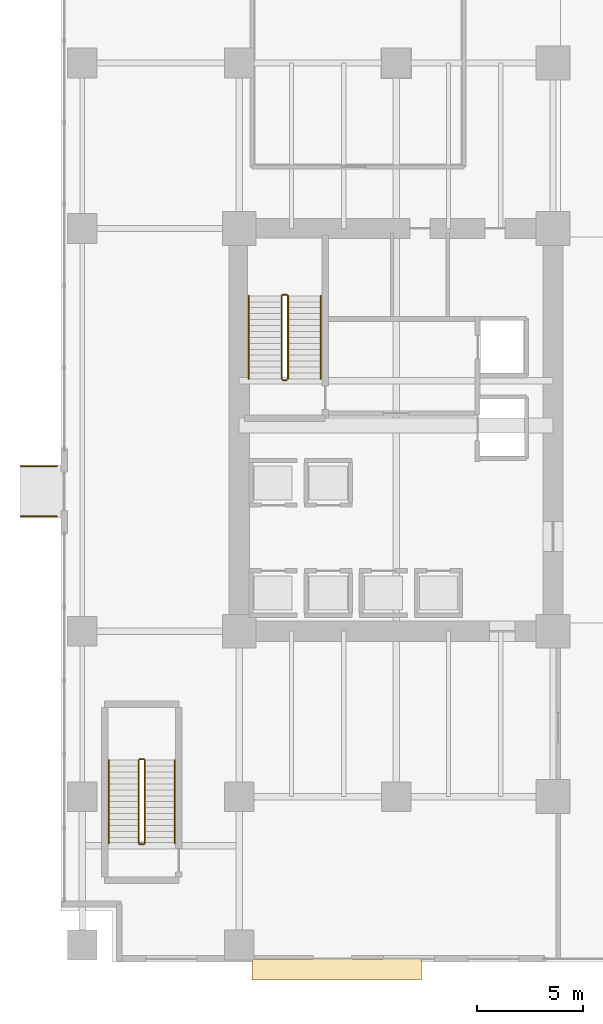
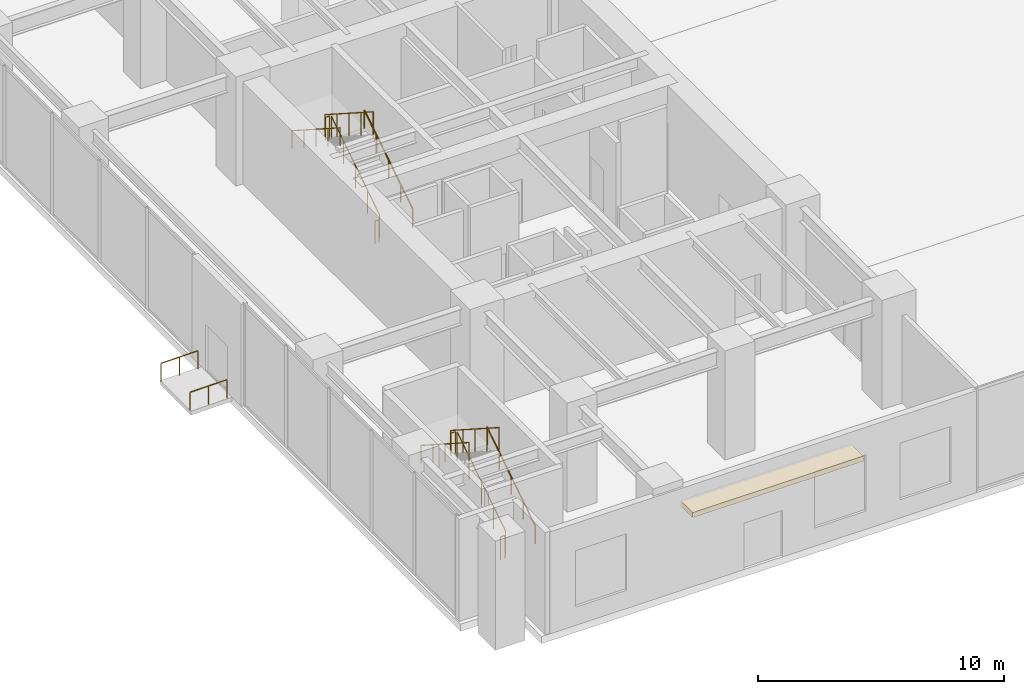
# One storey, part 24 of 28: 14 railings, 1 covering.
"""IFC4 building model written with IfcOpenShell, lengths in metres."""

from ifc_helpers import new_model, si_unit, direction, frame, origin, origin_2d, place, context, subcontext, project, spatial, polyline, circle, outline, extrude, source, transform, mapped, material, layer, layer_set, type_object, type_shapes, element, save


model = new_model("IFC4")

# Units and contexts
model_context = context("Model", 3, precision=1e-05, world=origin(), true_north=direction((0.0, 1.0)))
body_context = subcontext(model_context, "Body", "Model", "MODEL_VIEW")
ifc_project = project(units=[si_unit("LENGTHUNIT", "METRE"), si_unit("AREAUNIT", "SQUARE_METRE"), si_unit("VOLUMEUNIT", "CUBIC_METRE"), si_unit("PLANEANGLEUNIT", "RADIAN"), si_unit("MASSUNIT", "GRAM", prefix="KILO")], contexts=[model_context])

# Site, building, storey
site_placement = place(None, origin())
site = spatial("IfcSite", under=ifc_project, at=site_placement, CompositionType="ELEMENT")
building_placement = place(site_placement, origin())
building = spatial("IfcBuilding", under=site, at=building_placement, Name="Haelvirn Gate Laboratories", CompositionType="ELEMENT")
storey_placement = place(building_placement, origin())
storey = spatial("IfcBuildingStorey", under=building, at=storey_placement, Name="L01", CompositionType="ELEMENT", Elevation=0.0)

# Covering
ifc_material_1 = material(Name="Anodised bronze honeycomb aluminium spandrel cladding", Category="aluminium")
ifc_layer = layer(ifc_material_1, 0.044921875, Name="COV-CLAD-BRZ")
ifc_layer_set = layer_set([ifc_layer], Name="Anodised bronze honeycomb aluminium spandrel cladding")
covering_type = type_object("IfcCoveringType", Name="COV-CLAD-BRZ", PredefinedType="CLADDING", material=ifc_layer_set)
covering_placement = place(storey_placement, frame((0.0, 0.0, 4.10009765625)))
element("IfcCovering", 1, at=covering_placement, inside=storey, type_object=covering_type, Name="L01 Bronze Entrance Weather Hood W", PredefinedType="CLADDING", context=body_context, shape_type="SweptSolid", body=[
    extrude(outline(polyline([(8.0, -1.64990234375), (16.0, -1.64990234375), (16.0, -0.64990234375), (8.0, -0.64990234375), (8.0, -1.64990234375)])), origin(), (0.0, 0.0, 1.0), 0.25),
])

# Railings
ifc_material_2 = material(Name="Brushed bronze stainless steel 316L", Category="steel")
railing_type_1 = type_object("IfcRailingType", Name="RLG-RAMP-920", PredefinedType="HANDRAIL", material=ifc_material_2)
shared_shape_1 = source(origin(), body_context, "Body", "SweptSolid", [
    extrude(circle(Radius=0.02392578125, at=origin_2d()), frame((0.0, 0.0, 0.89599609375), z_axis=(0.99993226836, 0.0, 0.011638672251), x_axis=(0.0, 1.0, 0.0)), (0.0, 0.0, 1.0), 1.719970703125),
    extrude(circle(Radius=0.02099609375, at=origin_2d()), origin(), (0.0, 0.0, 1.0), 0.871826171875),
    extrude(circle(Radius=0.02099609375, at=origin_2d()), frame((0.85986328125, 0.0, 0.010009765625)), (0.0, 0.0, 1.0), 0.871826171875),
    extrude(circle(Radius=0.02099609375, at=origin_2d()), frame((1.719970703125, 0.0, 0.02001953125)), (0.0, 0.0, 1.0), 0.871826171875),
])
type_shapes(railing_type_1, [shared_shape_1])
for number, where, name in (
    (2, (-2.919921875, 20.219970703125, -0.02001953125), "L01 W Accessible Ramp Handrail S"),
    (3, (-2.919921875, 22.580078125, -0.02001953125), "L01 W Accessible Ramp Handrail N"),
):
    element("IfcRailing", number, at=place(storey_placement, frame(where)), inside=storey, type_object=railing_type_1, Name=name, PredefinedType="HANDRAIL", context=body_context, shape_type="MappedRepresentation", body=[
        mapped(shared_shape_1, transform((0.0, 0.0, 0.0), scale=1.0)),
    ])
ifc_material_3 = material(Name="Galvanised steel SM355 & stainless top rail", Category="steel")
railing_type_2 = type_object("IfcRailingType", Name="RL-GUARD-1150", PredefinedType="GUARDRAIL", material=ifc_material_3)
shared_shape_2 = source(origin(), body_context, "Body", "SweptSolid", [
    extrude(circle(Radius=0.02392578125, at=origin_2d()), frame((0.0, 0.0, 1.1259765625), z_axis=(-1.0, 0.0, 0.0), x_axis=(0.0, -1.0, 0.0)), (0.0, 0.0, 1.0), 0.199951171875),
    extrude(circle(Radius=0.02099609375, at=origin_2d()), origin(), (0.0, 0.0, 1.0), 1.101806640625),
    extrude(circle(Radius=0.02099609375, at=origin_2d()), frame((-0.199951171875, 0.0, 0.0)), (0.0, 0.0, 1.0), 1.101806640625),
])
for number, where, name in (
    (4, (9.64990234375, 30.669921875, 2.699951171875), "L01 ST1 stair guard 2"),
    (5, (9.64990234375, 26.64990234375, 0.0), "L01 ST1 stair guard 4"),
    (6, (2.89990234375, 8.77001953125, 2.699951171875), "L01 ST3 stair guard 2"),
    (7, (2.89990234375, 4.75, 0.0), "L01 ST3 stair guard 4"),
):
    element("IfcRailing", number, at=place(storey_placement, frame(where)), inside=storey, type_object=railing_type_2, Name=name, PredefinedType="GUARDRAIL", context=body_context, shape_type="MappedRepresentation", body=[
        mapped(shared_shape_2, transform((0.0, 0.0, 0.0), scale=1.0)),
    ])
shared_shape_3 = source(origin(), body_context, "Body", "SweptSolid", [
    extrude(circle(Radius=0.02392578125, at=origin_2d()), frame((0.0, 0.0, 1.1259765625), z_axis=(0.0, 0.841186985886, 0.540744352514), x_axis=(-1.0, 0.0, 0.0)), (0.0, 0.0, 1.0), 4.660400390625),
    extrude(circle(Radius=0.02099609375, at=origin_2d()), origin(), (0.0, 0.0, 1.0), 1.101806640625),
    extrude(circle(Radius=0.02099609375, at=origin_2d()), frame((0.0, 0.97998046875, 0.6298828125)), (0.0, 0.0, 1.0), 1.101806640625),
    extrude(circle(Radius=0.02099609375, at=origin_2d()), frame((0.0, 1.9599609375, 1.260009765625)), (0.0, 0.0, 1.0), 1.101806640625),
    extrude(circle(Radius=0.02099609375, at=origin_2d()), frame((0.0, 2.940185546875, 1.89013671875)), (0.0, 0.0, 1.0), 1.101806640625),
    extrude(circle(Radius=0.02099609375, at=origin_2d()), frame((0.0, 3.920166015625, 2.52001953125)), (0.0, 0.0, 1.0), 1.101806640625),
])
railing_1_placement = place(storey_placement, frame((9.699951171875, 26.699951171875, 0.179931640625)))
element("IfcRailing", 8, at=railing_1_placement, inside=storey, type_object=railing_type_2, Name="L01 ST1 stair guard 1", PredefinedType="GUARDRAIL", context=body_context, shape_type="MappedRepresentation", body=[
    mapped(shared_shape_3, transform((0.0, 0.0, 0.0), scale=1.0)),
])
shared_shape_4 = source(origin(), body_context, "Body", "SweptSolid", [
    extrude(circle(Radius=0.02392578125, at=origin_2d()), frame((0.0, 0.0, 1.1259765625), z_axis=(0.0, -0.841186985886, 0.540744352514), x_axis=(1.0, 0.0, 0.0)), (0.0, 0.0, 1.0), 4.660400390625),
    extrude(circle(Radius=0.02099609375, at=origin_2d()), origin(), (0.0, 0.0, 1.0), 1.101806640625),
    extrude(circle(Radius=0.02099609375, at=origin_2d()), frame((0.0, -0.97998046875, 0.6298828125)), (0.0, 0.0, 1.0), 1.101806640625),
    extrude(circle(Radius=0.02099609375, at=origin_2d()), frame((0.0, -1.9599609375, 1.260009765625)), (0.0, 0.0, 1.0), 1.101806640625),
    extrude(circle(Radius=0.02099609375, at=origin_2d()), frame((0.0, -2.940185546875, 1.89013671875)), (0.0, 0.0, 1.0), 1.101806640625),
    extrude(circle(Radius=0.02099609375, at=origin_2d()), frame((0.0, -3.920166015625, 2.52001953125)), (0.0, 0.0, 1.0), 1.101806640625),
])
railing_2_placement = place(storey_placement, frame((9.39990234375, 30.6201171875, 2.8798828125)))
element("IfcRailing", 9, at=railing_2_placement, inside=storey, type_object=railing_type_2, Name="L01 ST1 stair guard 3", PredefinedType="GUARDRAIL", context=body_context, shape_type="MappedRepresentation", body=[
    mapped(shared_shape_4, transform((0.0, 0.0, 0.0), scale=1.0)),
])
ifc_material_4 = material(Name="Brushed stainless steel 316L", Category="steel")
railing_type_3 = type_object("IfcRailingType", Name="RL-HAND-920", PredefinedType="HANDRAIL", material=ifc_material_4)
shared_shape_5 = source(origin(), body_context, "Body", "SweptSolid", [
    extrude(circle(Radius=0.02392578125, at=origin_2d()), frame((0.0, 0.0, 0.8759765625), z_axis=(0.0, 0.841186985886, 0.540744352514), x_axis=(-1.0, 0.0, 0.0)), (0.0, 0.0, 1.0), 4.660400390625),
    extrude(circle(Radius=0.02099609375, at=origin_2d()), origin(), (0.0, 0.0, 1.0), 0.851806640625),
    extrude(circle(Radius=0.02099609375, at=origin_2d()), frame((0.0, 0.97998046875, 0.6298828125)), (0.0, 0.0, 1.0), 0.851806640625),
    extrude(circle(Radius=0.02099609375, at=origin_2d()), frame((0.0, 1.9599609375, 1.260009765625)), (0.0, 0.0, 1.0), 0.851806640625),
    extrude(circle(Radius=0.02099609375, at=origin_2d()), frame((0.0, 2.940185546875, 1.89013671875)), (0.0, 0.0, 1.0), 0.851806640625),
    extrude(circle(Radius=0.02099609375, at=origin_2d()), frame((0.0, 3.920166015625, 2.52001953125)), (0.0, 0.0, 1.0), 0.851806640625),
])
railing_3_placement = place(storey_placement, frame((11.25, 26.699951171875, 0.179931640625)))
element("IfcRailing", 10, at=railing_3_placement, inside=storey, type_object=railing_type_3, Name="L01 ST1 stair handrail 1", PredefinedType="HANDRAIL", context=body_context, shape_type="MappedRepresentation", body=[
    mapped(shared_shape_5, transform((0.0, 0.0, 0.0), scale=1.0)),
])
shared_shape_6 = source(origin(), body_context, "Body", "SweptSolid", [
    extrude(circle(Radius=0.02392578125, at=origin_2d()), frame((0.0, 0.0, 0.8759765625), z_axis=(0.0, -0.841186985886, 0.540744352514), x_axis=(1.0, 0.0, 0.0)), (0.0, 0.0, 1.0), 4.660400390625),
    extrude(circle(Radius=0.02099609375, at=origin_2d()), origin(), (0.0, 0.0, 1.0), 0.851806640625),
    extrude(circle(Radius=0.02099609375, at=origin_2d()), frame((0.0, -0.97998046875, 0.6298828125)), (0.0, 0.0, 1.0), 0.851806640625),
    extrude(circle(Radius=0.02099609375, at=origin_2d()), frame((0.0, -1.9599609375, 1.260009765625)), (0.0, 0.0, 1.0), 0.851806640625),
    extrude(circle(Radius=0.02099609375, at=origin_2d()), frame((0.0, -2.940185546875, 1.89013671875)), (0.0, 0.0, 1.0), 0.851806640625),
    extrude(circle(Radius=0.02099609375, at=origin_2d()), frame((0.0, -3.920166015625, 2.52001953125)), (0.0, 0.0, 1.0), 0.851806640625),
])
railing_4_placement = place(storey_placement, frame((7.85009765625, 30.6201171875, 2.8798828125)))
element("IfcRailing", 11, at=railing_4_placement, inside=storey, type_object=railing_type_3, Name="L01 ST1 stair handrail 2", PredefinedType="HANDRAIL", context=body_context, shape_type="MappedRepresentation", body=[
    mapped(shared_shape_6, transform((0.0, 0.0, 0.0), scale=1.0)),
])
shared_shape_7 = source(origin(), body_context, "Body", "SweptSolid", [
    extrude(circle(Radius=0.02392578125, at=origin_2d()), frame((0.0, 0.0, 1.1259765625), z_axis=(0.0, 0.841171666519, 0.540768182723), x_axis=(-1.0, 0.0, 0.0)), (0.0, 0.0, 1.0), 4.66015625),
    extrude(circle(Radius=0.02099609375, at=origin_2d()), origin(), (0.0, 0.0, 1.0), 1.101806640625),
    extrude(circle(Radius=0.02099609375, at=origin_2d()), frame((0.0, 0.97998046875, 0.6298828125)), (0.0, 0.0, 1.0), 1.101806640625),
    extrude(circle(Radius=0.02099609375, at=origin_2d()), frame((0.0, 1.9599609375, 1.260009765625)), (0.0, 0.0, 1.0), 1.101806640625),
    extrude(circle(Radius=0.02099609375, at=origin_2d()), frame((0.0, 2.93994140625, 1.89013671875)), (0.0, 0.0, 1.0), 1.101806640625),
    extrude(circle(Radius=0.02099609375, at=origin_2d()), frame((0.0, 3.919921875, 2.52001953125)), (0.0, 0.0, 1.0), 1.101806640625),
])
railing_5_placement = place(storey_placement, frame((2.949951171875, 4.800048828125, 0.179931640625)))
element("IfcRailing", 12, at=railing_5_placement, inside=storey, type_object=railing_type_2, Name="L01 ST3 stair guard 1", PredefinedType="GUARDRAIL", context=body_context, shape_type="MappedRepresentation", body=[
    mapped(shared_shape_7, transform((0.0, 0.0, 0.0), scale=1.0)),
])
shared_shape_8 = source(origin(), body_context, "Body", "SweptSolid", [
    extrude(circle(Radius=0.02392578125, at=origin_2d()), frame((0.0, 0.0, 1.1259765625), z_axis=(0.0, -0.841171666519, 0.540768182723), x_axis=(1.0, 0.0, 0.0)), (0.0, 0.0, 1.0), 4.66015625),
    extrude(circle(Radius=0.02099609375, at=origin_2d()), origin(), (0.0, 0.0, 1.0), 1.101806640625),
    extrude(circle(Radius=0.02099609375, at=origin_2d()), frame((0.0, -0.97998046875, 0.6298828125)), (0.0, 0.0, 1.0), 1.101806640625),
    extrude(circle(Radius=0.02099609375, at=origin_2d()), frame((0.0, -1.9599609375, 1.260009765625)), (0.0, 0.0, 1.0), 1.101806640625),
    extrude(circle(Radius=0.02099609375, at=origin_2d()), frame((0.0, -2.93994140625, 1.89013671875)), (0.0, 0.0, 1.0), 1.101806640625),
    extrude(circle(Radius=0.02099609375, at=origin_2d()), frame((0.0, -3.919921875, 2.52001953125)), (0.0, 0.0, 1.0), 1.101806640625),
])
type_shapes(railing_type_2, [shared_shape_2, shared_shape_3, shared_shape_4, shared_shape_7, shared_shape_8])
railing_6_placement = place(storey_placement, frame((2.64990234375, 8.719970703125, 2.8798828125)))
element("IfcRailing", 13, at=railing_6_placement, inside=storey, type_object=railing_type_2, Name="L01 ST3 stair guard 3", PredefinedType="GUARDRAIL", context=body_context, shape_type="MappedRepresentation", body=[
    mapped(shared_shape_8, transform((0.0, 0.0, 0.0), scale=1.0)),
])
shared_shape_9 = source(origin(), body_context, "Body", "SweptSolid", [
    extrude(circle(Radius=0.02392578125, at=origin_2d()), frame((0.0, 0.0, 0.8759765625), z_axis=(0.0, 0.841171666519, 0.540768182723), x_axis=(-1.0, 0.0, 0.0)), (0.0, 0.0, 1.0), 4.66015625),
    extrude(circle(Radius=0.02099609375, at=origin_2d()), origin(), (0.0, 0.0, 1.0), 0.851806640625),
    extrude(circle(Radius=0.02099609375, at=origin_2d()), frame((0.0, 0.97998046875, 0.6298828125)), (0.0, 0.0, 1.0), 0.851806640625),
    extrude(circle(Radius=0.02099609375, at=origin_2d()), frame((0.0, 1.9599609375, 1.260009765625)), (0.0, 0.0, 1.0), 0.851806640625),
    extrude(circle(Radius=0.02099609375, at=origin_2d()), frame((0.0, 2.93994140625, 1.89013671875)), (0.0, 0.0, 1.0), 0.851806640625),
    extrude(circle(Radius=0.02099609375, at=origin_2d()), frame((0.0, 3.919921875, 2.52001953125)), (0.0, 0.0, 1.0), 0.851806640625),
])
railing_7_placement = place(storey_placement, frame((4.35009765625, 4.800048828125, 0.179931640625)))
element("IfcRailing", 14, at=railing_7_placement, inside=storey, type_object=railing_type_3, Name="L01 ST3 stair handrail 1", PredefinedType="HANDRAIL", context=body_context, shape_type="MappedRepresentation", body=[
    mapped(shared_shape_9, transform((0.0, 0.0, 0.0), scale=1.0)),
])
shared_shape_10 = source(origin(), body_context, "Body", "SweptSolid", [
    extrude(circle(Radius=0.02392578125, at=origin_2d()), frame((0.0, 0.0, 0.8759765625), z_axis=(0.0, -0.841171666519, 0.540768182723), x_axis=(1.0, 0.0, 0.0)), (0.0, 0.0, 1.0), 4.66015625),
    extrude(circle(Radius=0.02099609375, at=origin_2d()), origin(), (0.0, 0.0, 1.0), 0.851806640625),
    extrude(circle(Radius=0.02099609375, at=origin_2d()), frame((0.0, -0.97998046875, 0.6298828125)), (0.0, 0.0, 1.0), 0.851806640625),
    extrude(circle(Radius=0.02099609375, at=origin_2d()), frame((0.0, -1.9599609375, 1.260009765625)), (0.0, 0.0, 1.0), 0.851806640625),
    extrude(circle(Radius=0.02099609375, at=origin_2d()), frame((0.0, -2.93994140625, 1.89013671875)), (0.0, 0.0, 1.0), 0.851806640625),
    extrude(circle(Radius=0.02099609375, at=origin_2d()), frame((0.0, -3.919921875, 2.52001953125)), (0.0, 0.0, 1.0), 0.851806640625),
])
type_shapes(railing_type_3, [shared_shape_5, shared_shape_6, shared_shape_9, shared_shape_10])
railing_8_placement = place(storey_placement, frame((1.25, 8.719970703125, 2.8798828125)))
element("IfcRailing", 15, at=railing_8_placement, inside=storey, type_object=railing_type_3, Name="L01 ST3 stair handrail 2", PredefinedType="HANDRAIL", context=body_context, shape_type="MappedRepresentation", body=[
    mapped(shared_shape_10, transform((0.0, 0.0, 0.0), scale=1.0)),
])

save(model, "model.ifc")
